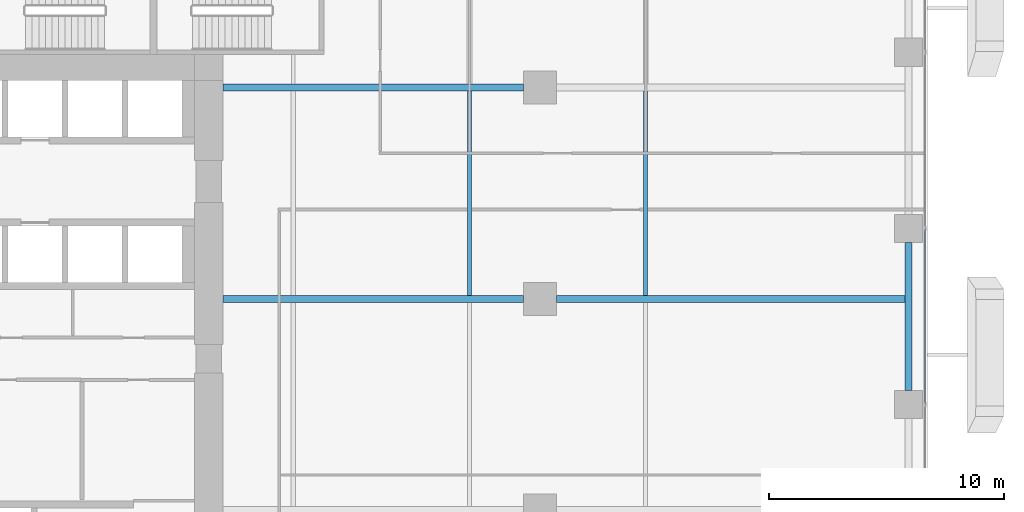
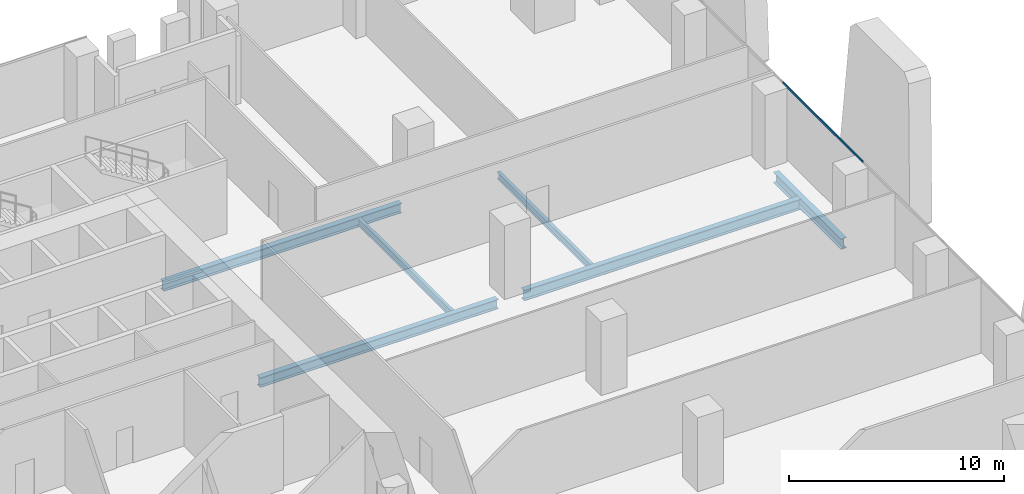
# One storey, part 16 of 34: 6 beams, 1 member, 1 element without a shape of its own.
"""IFC4 building model written with IfcOpenShell, lengths in metres."""

from ifc_helpers import new_model, si_unit, direction, frame, origin, origin_2d, place, context, subcontext, project, spatial, hollow_rectangle, i_section, extrude, source, transform, mapped, material, material_profile, profile_set, type_object, element, aggregate, save


model = new_model("IFC4")

# Units and contexts
model_context = context("Model", 3, precision=1e-05, world=origin(), true_north=direction((0.0, 1.0)))
body_context = subcontext(model_context, "Body", "Model", "MODEL_VIEW")
ifc_project = project(units=[si_unit("LENGTHUNIT", "METRE"), si_unit("AREAUNIT", "SQUARE_METRE"), si_unit("VOLUMEUNIT", "CUBIC_METRE"), si_unit("PLANEANGLEUNIT", "RADIAN"), si_unit("MASSUNIT", "GRAM", prefix="KILO")], contexts=[model_context])

# Site, building, storey
site_placement = place(None, origin())
site = spatial("IfcSite", under=ifc_project, at=site_placement, CompositionType="ELEMENT")
building_placement = place(site_placement, origin())
building = spatial("IfcBuilding", under=site, at=building_placement, Name="Khomas Fold Tower", CompositionType="ELEMENT")
storey_placement = place(building_placement, frame((0.0, 0.0, 51.0)))
storey = spatial("IfcBuildingStorey", under=building, at=storey_placement, Name="L10", CompositionType="ELEMENT", Elevation=51.0)

# Beams
ifc_material_1 = material(Name="Steel S355", Category="steel")
ifc_material_profile_1 = material_profile(ifc_material_1, i_section(OverallWidth=0.300048828125, OverallDepth=0.550048828125, WebThickness=0.014892578125, FlangeThickness=0.029052734375, at=origin_2d()), Name="HE 550 B")
ifc_profile_set_1 = profile_set([ifc_material_profile_1], Name="Steel S355")
beam_type_1 = type_object("IfcBeamType", Name="HE 550 B beam GB4", PredefinedType="BEAM", material=ifc_profile_set_1)
shared_shape_1 = source(origin(), body_context, "Body", "SweptSolid", [
    extrude(i_section(OverallWidth=0.300048828125, OverallDepth=0.550048828125, WebThickness=0.014892578125, FlangeThickness=0.029052734375, at=origin_2d()), origin(), (0.0, 0.0, 1.0), 12.800048828125),
])
for number, where, z_axis, x_axis, name in (
    (1, (24.0, 31.5, -0.574951171875), (1.0, 0.0, 0.0), (0.0, 1.0, 0.0), "GB4"),
    (2, (24.0, 40.5, -0.574951171875), (1.0, 0.0, 0.0), (0.0, 1.0, 0.0), "GB4"),
):
    element("IfcBeam", number, at=place(storey_placement, frame(where, z_axis=z_axis, x_axis=x_axis)), inside=storey, type_object=beam_type_1, Name=name, PredefinedType="BEAM", context=body_context, shape_type="MappedRepresentation", body=[
        mapped(shared_shape_1, transform((0.0, 0.0, 0.0))),
    ])
ifc_material_2 = material(Name="Steel S355", Category="steel")
ifc_material_profile_2 = material_profile(ifc_material_2, i_section(OverallWidth=0.179931640625, OverallDepth=0.39990234375, WebThickness=0.008544921875, FlangeThickness=0.013427734375, at=origin_2d()), Name="IPE 400")
ifc_profile_set_2 = profile_set([ifc_material_profile_2], Name="Steel S355")
beam_type_2 = type_object("IfcBeamType", Name="IPE 400 beam JB3", PredefinedType="BEAM", material=ifc_profile_set_2)
shared_shape_2 = source(origin(), body_context, "Body", "SweptSolid", [
    extrude(i_section(OverallWidth=0.179931640625, OverallDepth=0.39990234375, WebThickness=0.008544921875, FlangeThickness=0.013427734375, at=origin_2d()), origin(), (0.0, 0.0, 1.0), 8.7001953125),
])
for number, where, z_axis, x_axis, name in (
    (3, (34.5, 31.64990234375, -0.5), (0.0, 1.0, 0.0), (-1.0, 0.0, 0.0), "JB3"),
    (4, (42.0, 31.64990234375, -0.5), (0.0, 1.0, 0.0), (-1.0, 0.0, 0.0), "JB3"),
):
    element("IfcBeam", number, at=place(storey_placement, frame(where, z_axis=z_axis, x_axis=x_axis)), inside=storey, type_object=beam_type_2, Name=name, PredefinedType="BEAM", context=body_context, shape_type="MappedRepresentation", body=[
        mapped(shared_shape_2, transform((0.0, 0.0, 0.0))),
    ])
ifc_material_3 = material(Name="Steel S355", Category="steel")
ifc_material_profile_3 = material_profile(ifc_material_3, i_section(OverallWidth=0.300048828125, OverallDepth=0.60009765625, WebThickness=0.015380859375, FlangeThickness=0.030029296875, at=origin_2d()), Name="HE 600 B")
ifc_profile_set_3 = profile_set([ifc_material_profile_3], Name="Steel S355")
beam_type_3 = type_object("IfcBeamType", Name="HE 600 B spandrel SB1", PredefinedType="SPANDREL", material=ifc_profile_set_3)
shared_shape_3 = source(origin(), body_context, "Body", "SweptSolid", [
    extrude(i_section(OverallWidth=0.300048828125, OverallDepth=0.60009765625, WebThickness=0.015380859375, FlangeThickness=0.030029296875, at=origin_2d()), origin(), (0.0, 0.0, 1.0), 6.2998046875),
])
beam_1_placement = place(storey_placement, frame((53.199951171875, 27.60009765625, -0.60009765625), z_axis=(0.0, 1.0, 0.0), x_axis=(-1.0, 0.0, 0.0)))
element("IfcBeam", 5, at=beam_1_placement, inside=storey, type_object=beam_type_3, Name="SB1", PredefinedType="SPANDREL", context=body_context, shape_type="MappedRepresentation", body=[
    mapped(shared_shape_3, transform((0.0, 0.0, 0.0))),
])
ifc_material_4 = material(Name="Steel S355", Category="steel")
ifc_material_profile_4 = material_profile(ifc_material_4, i_section(OverallWidth=0.300048828125, OverallDepth=0.60009765625, WebThickness=0.015380859375, FlangeThickness=0.030029296875, at=origin_2d()), Name="HE 600 B")
ifc_profile_set_4 = profile_set([ifc_material_profile_4], Name="Steel S355")
beam_type_4 = type_object("IfcBeamType", Name="HE 600 B beam GB5", PredefinedType="BEAM", material=ifc_profile_set_4)
shared_shape_4 = source(origin(), body_context, "Body", "SweptSolid", [
    extrude(i_section(OverallWidth=0.300048828125, OverallDepth=0.60009765625, WebThickness=0.015380859375, FlangeThickness=0.030029296875, at=origin_2d()), origin(), (0.0, 0.0, 1.0), 14.85009765625),
])
beam_2_placement = place(storey_placement, frame((38.199951171875, 31.5, -0.60009765625), z_axis=(1.0, 0.0, 0.0), x_axis=(0.0, 1.0, 0.0)))
element("IfcBeam", 6, at=beam_2_placement, inside=storey, type_object=beam_type_4, Name="GB5", PredefinedType="BEAM", context=body_context, shape_type="MappedRepresentation", body=[
    mapped(shared_shape_4, transform((0.0, 0.0, 0.0))),
])

# Curtain wall, member
ifc_material_5 = material(Name="Aluminium framed double glazing", Category="aluminium")
curtain_wall_type = type_object("IfcCurtainWallType", Name="SK-Unitised clear-glass wall, growing floors CW1", PredefinedType="NOTDEFINED", material=ifc_material_5)
curtain_wall_placement = place(storey_placement, origin())
curtain_wall = element("IfcCurtainWall", 7, at=curtain_wall_placement, inside=storey, type_object=curtain_wall_type, Name="CW1 run L10 03-0", PredefinedType="NOTDEFINED")
ifc_material_6 = material(Name="Aluminium", Category="aluminium")
ifc_material_profile_5 = material_profile(ifc_material_6, hollow_rectangle(XDim=0.06005859375, YDim=0.1201171875, WallThickness=0.00390625, at=origin_2d()), Name="SK-Unitised clear-glass wall, growing floors transom CW1-T")
ifc_profile_set_5 = profile_set([ifc_material_profile_5], Name="Aluminium")
member_type = type_object("IfcMemberType", Name="SK-Unitised clear-glass wall, growing floors transom CW1-T", PredefinedType="USERDEFINED", material=ifc_profile_set_5)
shared_shape_5 = source(origin(), body_context, "Body", "SweptSolid", [
    extrude(hollow_rectangle(XDim=0.06005859375, YDim=0.1201171875, WallThickness=0.00390625, at=origin_2d()), origin(), (0.0, 0.0, 1.0), 7.43994140625),
])
member_placement = place(storey_placement, frame((53.89990234375, 27.030029296875, 4.139892578125), z_axis=(0.0, 1.0, 0.0), x_axis=(-1.0, 0.0, 0.0)))
member = element("IfcMember", 8, at=member_placement, type_object=member_type, Name="CW1 transom 5", ObjectType="TRANSOM", PredefinedType="USERDEFINED", context=body_context, shape_type="MappedRepresentation", body=[
    mapped(shared_shape_5, transform((0.0, 0.0, 0.0))),
])
aggregate(curtain_wall, [member])

save(model, "model.ifc")
